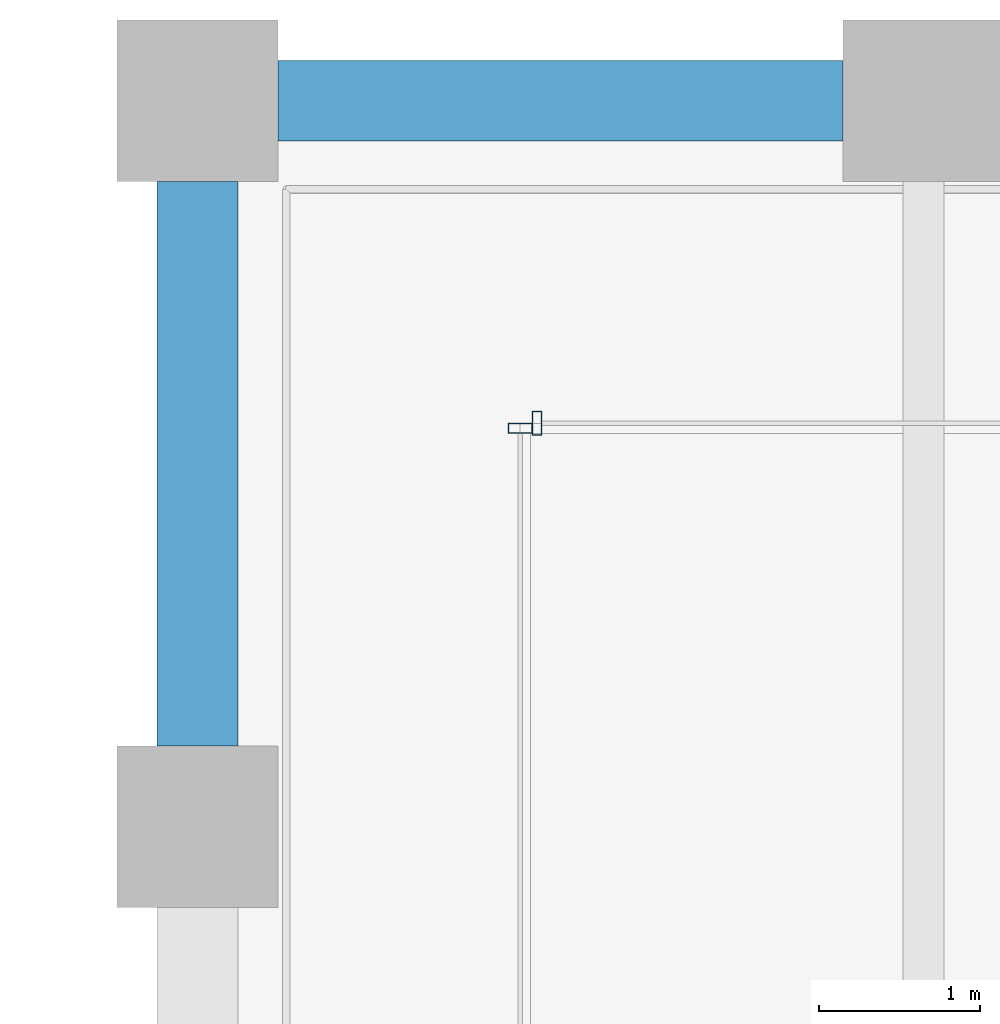
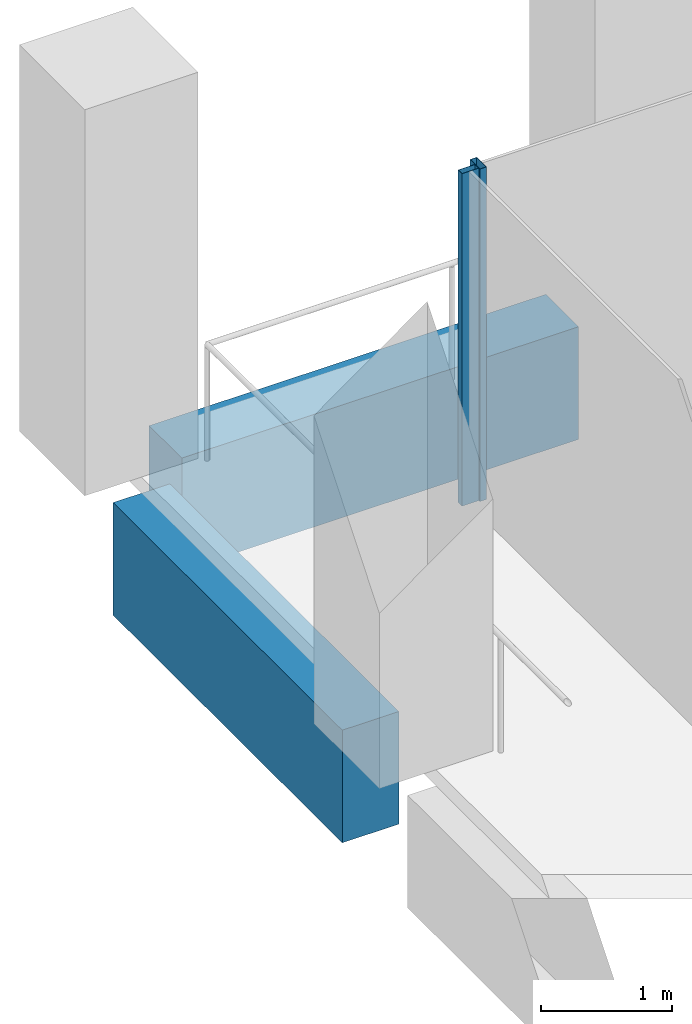
# One storey, part 21 of 46: 2 beams, 2 members, 2 elements without a shape of their own.
"""IFC4 building model written with IfcOpenShell, lengths in metres."""

from ifc_helpers import new_model, si_unit, direction, frame, origin, origin_2d, place, context, subcontext, project, spatial, rectangle, hollow_rectangle, extrude, material, material_profile, profile_set, type_object, element, aggregate, save


model = new_model("IFC4")

# Units and contexts
model_context = context("Model", 3, precision=1e-05, world=origin(), true_north=direction((0.0, 1.0)))
body_context = subcontext(model_context, "Body", "Model", "MODEL_VIEW")
ifc_project = project(units=[si_unit("LENGTHUNIT", "METRE"), si_unit("AREAUNIT", "SQUARE_METRE"), si_unit("VOLUMEUNIT", "CUBIC_METRE"), si_unit("PLANEANGLEUNIT", "RADIAN"), si_unit("MASSUNIT", "GRAM", prefix="KILO")], contexts=[model_context])

# Site, building, storey
site_placement = place(None, origin())
site = spatial("IfcSite", under=ifc_project, at=site_placement, CompositionType="ELEMENT")
building_placement = place(site_placement, origin())
building = spatial("IfcBuilding", under=site, at=building_placement, Name="Altepetl Exchange Towers", CompositionType="ELEMENT")
storey_placement = place(building_placement, frame((0.0, 0.0, 120.800048828125)))
storey = spatial("IfcBuildingStorey", under=building, at=storey_placement, Name="L29", CompositionType="ELEMENT", Elevation=120.800048828125)

# Curtain wall, member
ifc_material_1 = material(Name="Aluminium 6063-T6 glazing", Category="aluminium")
curtain_wall_type = type_object("IfcCurtainWallType", Name="Loggia glazing system", PredefinedType="NOTDEFINED", material=ifc_material_1)
curtain_wall_1_placement = place(storey_placement, origin())
curtain_wall_1 = element("IfcCurtainWall", 1, at=curtain_wall_1_placement, inside=storey, type_object=curtain_wall_type, Name="CW1 run", PredefinedType="NOTDEFINED")
ifc_material_2 = material(Name="Aluminium 6063-T6", Category="aluminium")
ifc_material_profile_1 = material_profile(ifc_material_2, hollow_rectangle(XDim=0.06005859375, YDim=0.14990234375, WallThickness=0.0029296875, at=origin_2d()), Name="Mullion 60x150 aluminium")
ifc_profile_set_1 = profile_set([ifc_material_profile_1], Name="Aluminium 6063-T6")
member_type = type_object("IfcMemberType", Name="Mullion 60x150 aluminium", PredefinedType="MULLION", material=ifc_profile_set_1)
member_1_placement = place(storey_placement, frame((42.60498046875, 70.0, 0.0), z_axis=(0.0, 0.0, 1.0), x_axis=(-1.0, 0.0, 0.0)))
member_1 = element("IfcMember", 2, at=member_1_placement, type_object=member_type, Name="MU1 mullion", PredefinedType="MULLION", context=body_context, shape_type="SweptSolid", body=[
    extrude(hollow_rectangle(XDim=0.06005859375, YDim=0.14990234375, WallThickness=0.0029296875, at=origin_2d()), origin(), (0.0, 0.0, 1.0), 3.099853515625),
])
aggregate(curtain_wall_1, [member_1])

curtain_wall_2_placement = place(storey_placement, origin())
curtain_wall_2 = element("IfcCurtainWall", 3, at=curtain_wall_2_placement, inside=storey, type_object=curtain_wall_type, Name="CW1 run", PredefinedType="NOTDEFINED")
member_2_placement = place(storey_placement, frame((42.5, 69.969970703125, 0.0), z_axis=(0.0, 0.0, 1.0), x_axis=(0.0, -1.0, 0.0)))
member_2 = element("IfcMember", 4, at=member_2_placement, type_object=member_type, Name="MU1 mullion", PredefinedType="MULLION", context=body_context, shape_type="SweptSolid", body=[
    extrude(hollow_rectangle(XDim=0.06005859375, YDim=0.14990234375, WallThickness=0.0029296875, at=origin_2d()), origin(), (0.0, 0.0, 1.0), 3.099853515625),
])
aggregate(curtain_wall_2, [member_2])

# Beams
ifc_material_3 = material(Name="Concrete C50/60 precast with cantera rosa facing", Category="concrete")
ifc_material_profile_2 = material_profile(ifc_material_3, rectangle(XDim=0.5, YDim=1.050048828125, at=origin_2d()), Name="500 x 1050")
ifc_profile_set_2 = profile_set([ifc_material_profile_2], Name="Concrete C50/60 precast with cantera rosa facing")
beam_type_1 = type_object("IfcBeamType", Name="Spandrel beam 500x1050 cantera rosa", PredefinedType="SPANDREL", material=ifc_profile_set_2)
beam_1_placement = place(storey_placement, frame((44.5, 72.0, -0.675048828125), z_axis=(-1.0, 0.0, 0.0), x_axis=(0.0, -1.0, 0.0)))
element("IfcBeam", 5, at=beam_1_placement, inside=storey, type_object=beam_type_1, Name="sp:A:L29:029", PredefinedType="SPANDREL", context=body_context, shape_type="SweptSolid", body=[
    extrude(rectangle(XDim=0.5, YDim=1.050048828125, at=origin_2d()), origin(), (0.0, 0.0, 1.0), 3.5),
])
ifc_material_4 = material(Name="Concrete C50/60 precast with tezontle facing", Category="concrete")
ifc_material_profile_3 = material_profile(ifc_material_4, rectangle(XDim=0.5, YDim=1.050048828125, at=origin_2d()), Name="500 x 1050")
ifc_profile_set_3 = profile_set([ifc_material_profile_3], Name="Concrete C50/60 precast with tezontle facing")
beam_type_2 = type_object("IfcBeamType", Name="Spandrel beam 500x1050 tezontle", PredefinedType="SPANDREL", material=ifc_profile_set_3)
beam_2_placement = place(storey_placement, frame((40.5, 71.5, -0.675048828125), z_axis=(0.0, -1.0, 0.0), x_axis=(1.0, 0.0, 0.0)))
element("IfcBeam", 6, at=beam_2_placement, inside=storey, type_object=beam_type_2, Name="sp:A:L29:030", PredefinedType="SPANDREL", context=body_context, shape_type="SweptSolid", body=[
    extrude(rectangle(XDim=0.5, YDim=1.050048828125, at=origin_2d()), origin(), (0.0, 0.0, 1.0), 3.5),
])

save(model, "model.ifc")
